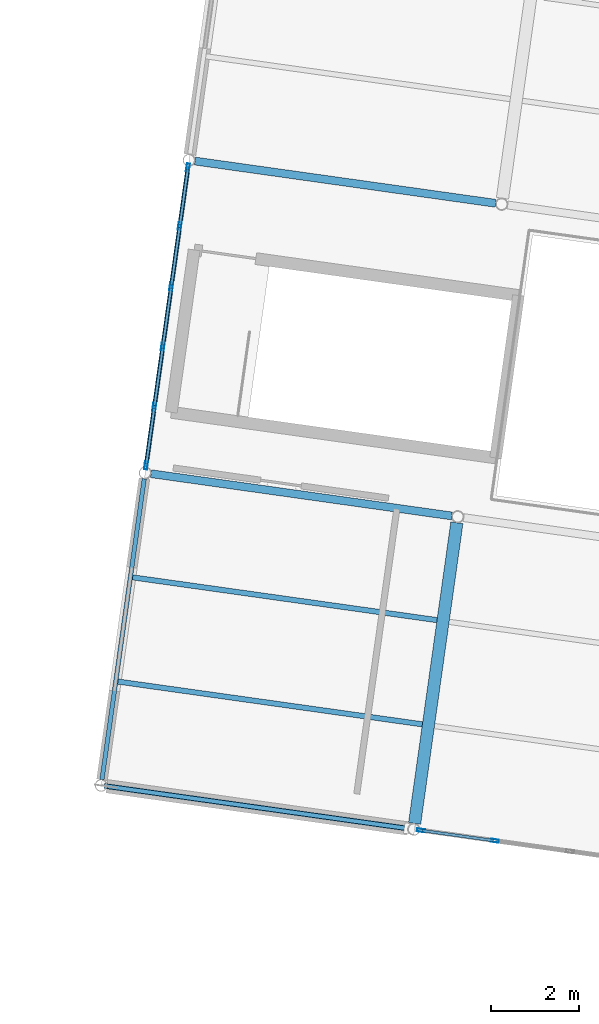
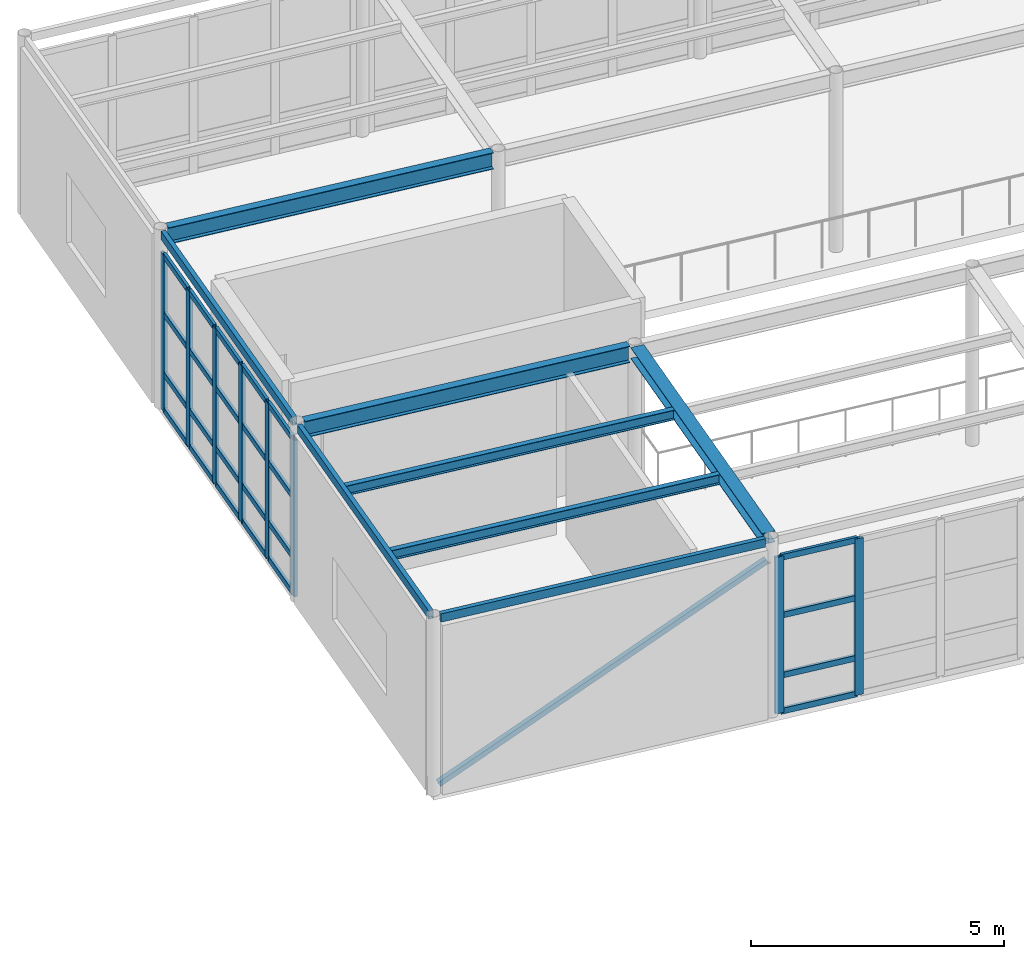
# One storey, part 21 of 67: 33 members, 8 beams, 2 elements without a shape of their own.
"""IFC4 building model written with IfcOpenShell, lengths in metres."""

from ifc_helpers import new_model, si_unit, direction, frame, origin, origin_2d, place, context, subcontext, project, spatial, hollow_rectangle, i_section, extrude, material, layer, layer_set, material_profile, profile_set, type_object, element, aggregate, save


model = new_model("IFC4")

# Units and contexts
model_context = context("Model", 3, precision=1e-05, world=origin(), true_north=direction((0.0, 1.0)))
body_context = subcontext(model_context, "Body", "Model", "MODEL_VIEW")
ifc_project = project(units=[si_unit("LENGTHUNIT", "METRE"), si_unit("AREAUNIT", "SQUARE_METRE"), si_unit("VOLUMEUNIT", "CUBIC_METRE"), si_unit("PLANEANGLEUNIT", "RADIAN"), si_unit("MASSUNIT", "GRAM", prefix="KILO")], contexts=[model_context])

# Site, building, storey
site_placement = place(None, origin())
site = spatial("IfcSite", under=ifc_project, at=site_placement, CompositionType="ELEMENT")
building_placement = place(site_placement, origin())
building = spatial("IfcBuilding", under=site, at=building_placement, Name="Kharisveld Research Institute", CompositionType="ELEMENT")
storey_placement = place(building_placement, frame((0.0, 0.0, 9.60009765625)))
storey = spatial("IfcBuildingStorey", under=building, at=storey_placement, Name="L02", CompositionType="ELEMENT", Elevation=9.60009765625)

# Beams
ifc_material_1 = material(Name="Steel S355JR", Category="steel")
ifc_material_profile_1 = material_profile(ifc_material_1, i_section(OverallWidth=0.280029296875, OverallDepth=0.27001953125, WebThickness=0.008056640625, FlangeThickness=0.012939453125, at=origin_2d()))
ifc_profile_set_1 = profile_set([ifc_material_profile_1], Name="Steel S355JR")
beam_type_1 = type_object("IfcBeamType", Name="BM_ST_HEA280", PredefinedType="BEAM", material=ifc_profile_set_1)
beam_1_placement = place(storey_placement, frame((82.14892578125, 16.633056640625, 4.169921875), z_axis=(0.139180848611, 0.990266979849, 0.0), x_axis=(-0.990266979849, 0.139180848611, 0.0)))
element("IfcBeam", 1, at=beam_1_placement, inside=storey, type_object=beam_type_1, Name="BM:V4:L02:V1_0", PredefinedType="BEAM", context=body_context, shape_type="SweptSolid", body=[
    extrude(i_section(OverallWidth=0.280029296875, OverallDepth=0.27001953125, WebThickness=0.008056640625, FlangeThickness=0.012939453125, at=origin_2d()), origin(), (0.0, 0.0, 1.0), 6.927001953125),
])
ifc_material_2 = material(Name="Steel S355JR", Category="steel")
ifc_material_profile_2 = material_profile(ifc_material_2, i_section(OverallWidth=0.179931640625, OverallDepth=0.39990234375, WebThickness=0.008544921875, FlangeThickness=0.013427734375, at=origin_2d()))
ifc_profile_set_2 = profile_set([ifc_material_profile_2], Name="Steel S355JR")
beam_type_2 = type_object("IfcBeamType", Name="BM_ST_IPE400", PredefinedType="BEAM", material=ifc_profile_set_2)
for number, where, z_axis, x_axis, name in (
    (2, (76.13720703125, 24.61083984375, 4.10498046875), (0.990271836897, -0.13914628651, 0.0), (0.13914628651, 0.990271836897, 0.0), "BM:V4:L02:U0_1"),
    (3, (77.13916015625, 31.740966796875, 4.10498046875), (0.990266979849, -0.139180848611, 0.0), (0.139180848611, 0.990266979849, 0.0), "BM:V4:L02:U0_2"),
):
    element("IfcBeam", number, at=place(storey_placement, frame(where, z_axis=z_axis, x_axis=x_axis)), inside=storey, type_object=beam_type_2, Name=name, PredefinedType="BEAM", context=body_context, shape_type="SweptSolid", body=[
        extrude(i_section(OverallWidth=0.179931640625, OverallDepth=0.39990234375, WebThickness=0.008544921875, FlangeThickness=0.013427734375, at=origin_2d()), origin(), (0.0, 0.0, 1.0), 6.927001953125),
    ])

# Member
ifc_material_3 = material(Name="Steel S355J2H", Category="steel")
ifc_material_profile_3 = material_profile(ifc_material_3, hollow_rectangle(XDim=0.1201171875, YDim=0.1201171875, WallThickness=0.00634765625, at=origin_2d()))
ifc_profile_set_3 = profile_set([ifc_material_profile_3], Name="Steel S355J2H")
member_type_1 = type_object("IfcMemberType", Name="BR_SHS120", PredefinedType="BRACE", material=ifc_profile_set_3)
member_1_placement = place(storey_placement, frame((75.09912109375, 17.486083984375, 0.199951171875), z_axis=(0.882935353603, -0.124076781632, 0.452802510612), x_axis=(0.139160243851, 0.990269875605, 0.0)))
element("IfcMember", 4, at=member_1_placement, inside=storey, type_object=member_type_1, Name="MEM:V4:L02:BR_0_0", PredefinedType="BRACE", context=body_context, shape_type="SweptSolid", body=[
    extrude(hollow_rectangle(XDim=0.1201171875, YDim=0.1201171875, WallThickness=0.00634765625, at=origin_2d()), origin(), (0.0, 0.0, 1.0), 7.85107421875),
])

# Curtain wall, members
ifc_material_4 = material(Name="Thermally Broken Aluminium Curtain Wall", Category="aluminium")
ifc_layer_1 = layer(ifc_material_4, 0.159912109375)
ifc_layer_set_1 = layer_set([ifc_layer_1], Name="CW_SYS_03")
curtain_wall_type_1 = type_object("IfcCurtainWallType", Name="CW_SYS_03", PredefinedType="NOTDEFINED", material=ifc_layer_set_1)
curtain_wall_1_placement = place(storey_placement, origin())
curtain_wall_1 = element("IfcCurtainWall", 5, at=curtain_wall_1_placement, inside=storey, type_object=curtain_wall_type_1, Name="CW:V4:L02:W1", PredefinedType="NOTDEFINED")
ifc_material_5 = material(Name="Anodised Aluminium AW-6063-T6", Category="aluminium")
ifc_material_profile_4 = material_profile(ifc_material_5, hollow_rectangle(XDim=0.070068359375, YDim=0.179931640625, WallThickness=0.00439453125, at=origin_2d()))
ifc_profile_set_4 = profile_set([ifc_material_profile_4], Name="Anodised Aluminium AW-6063-T6")
member_type_2 = type_object("IfcMemberType", Name="CW_MUL_180", PredefinedType="MULLION", material=ifc_profile_set_4)
member_2_placement = place(storey_placement, frame((76.025146484375, 24.794921875, 0.0), z_axis=(0.0, 0.0, 1.0), x_axis=(-0.990268046064, 0.139173262318, 0.0)))
member_2 = element("IfcMember", 6, at=member_2_placement, type_object=member_type_2, Name="CW-03 mullion 1", PredefinedType="MULLION", context=body_context, shape_type="SweptSolid", body=[
    extrude(hollow_rectangle(XDim=0.070068359375, YDim=0.179931640625, WallThickness=0.00439453125, at=origin_2d()), origin(), (0.0, 0.0, 1.0), 3.77978515625),
])
member_3_placement = place(storey_placement, frame((76.21337890625, 26.134033203125, 0.0), z_axis=(0.0, 0.0, 1.0), x_axis=(-0.990268046064, 0.139173262318, 0.0)))
member_3 = element("IfcMember", 7, at=member_3_placement, type_object=member_type_2, Name="CW-03 mullion 2", PredefinedType="MULLION", context=body_context, shape_type="SweptSolid", body=[
    extrude(hollow_rectangle(XDim=0.070068359375, YDim=0.179931640625, WallThickness=0.00439453125, at=origin_2d()), origin(), (0.0, 0.0, 1.0), 3.77978515625),
])
member_4_placement = place(storey_placement, frame((76.406494140625, 27.508056640625, 0.0), z_axis=(0.0, 0.0, 1.0), x_axis=(-0.990268046064, 0.139173262318, 0.0)))
member_4 = element("IfcMember", 8, at=member_4_placement, type_object=member_type_2, Name="CW-03 mullion 3", PredefinedType="MULLION", context=body_context, shape_type="SweptSolid", body=[
    extrude(hollow_rectangle(XDim=0.070068359375, YDim=0.179931640625, WallThickness=0.00439453125, at=origin_2d()), origin(), (0.0, 0.0, 1.0), 3.77978515625),
])
member_5_placement = place(storey_placement, frame((76.599609375, 28.8818359375, 0.0), z_axis=(0.0, 0.0, 1.0), x_axis=(-0.990268046064, 0.139173262318, 0.0)))
member_5 = element("IfcMember", 9, at=member_5_placement, type_object=member_type_2, Name="CW-03 mullion 4", PredefinedType="MULLION", context=body_context, shape_type="SweptSolid", body=[
    extrude(hollow_rectangle(XDim=0.070068359375, YDim=0.179931640625, WallThickness=0.00439453125, at=origin_2d()), origin(), (0.0, 0.0, 1.0), 3.77978515625),
])
member_6_placement = place(storey_placement, frame((76.792724609375, 30.255859375, 0.0), z_axis=(0.0, 0.0, 1.0), x_axis=(-0.990268046064, 0.139173262318, 0.0)))
member_6 = element("IfcMember", 10, at=member_6_placement, type_object=member_type_2, Name="CW-03 mullion 5", PredefinedType="MULLION", context=body_context, shape_type="SweptSolid", body=[
    extrude(hollow_rectangle(XDim=0.070068359375, YDim=0.179931640625, WallThickness=0.00439453125, at=origin_2d()), origin(), (0.0, 0.0, 1.0), 3.77978515625),
])
member_7_placement = place(storey_placement, frame((76.98095703125, 31.594970703125, 0.0), z_axis=(0.0, 0.0, 1.0), x_axis=(-0.990268046064, 0.139173262318, 0.0)))
member_7 = element("IfcMember", 11, at=member_7_placement, type_object=member_type_2, Name="CW-03 mullion 6", PredefinedType="MULLION", context=body_context, shape_type="SweptSolid", body=[
    extrude(hollow_rectangle(XDim=0.070068359375, YDim=0.179931640625, WallThickness=0.00439453125, at=origin_2d()), origin(), (0.0, 0.0, 1.0), 3.77978515625),
])

ifc_material_6 = material(Name="Thermally Broken Aluminium Curtain Wall", Category="aluminium")
ifc_layer_2 = layer(ifc_material_6, 0.159912109375)
ifc_layer_set_2 = layer_set([ifc_layer_2], Name="CW_SYS_04")
curtain_wall_type_2 = type_object("IfcCurtainWallType", Name="CW_SYS_04", PredefinedType="NOTDEFINED", material=ifc_layer_set_2)
curtain_wall_2_placement = place(storey_placement, origin())
curtain_wall_2 = element("IfcCurtainWall", 12, at=curtain_wall_2_placement, inside=storey, type_object=curtain_wall_type_2, Name="CW:V4:L02:S2", PredefinedType="NOTDEFINED")
member_8_placement = place(storey_placement, frame((83.9775390625, 16.23828125, 0.0), z_axis=(0.0, 0.0, 1.0), x_axis=(-0.139173262318, -0.990268046064, 0.0)))
member_8 = element("IfcMember", 13, at=member_8_placement, type_object=member_type_2, Name="CW-04 mullion 4", PredefinedType="MULLION", context=body_context, shape_type="SweptSolid", body=[
    extrude(hollow_rectangle(XDim=0.070068359375, YDim=0.179931640625, WallThickness=0.00439453125, at=origin_2d()), origin(), (0.0, 0.0, 1.0), 3.77978515625),
])
member_9_placement = place(storey_placement, frame((82.294921875, 16.474853515625, 0.0), z_axis=(0.0, 0.0, 1.0), x_axis=(-0.139173262318, -0.990268046064, 0.0)))
member_9 = element("IfcMember", 14, at=member_9_placement, type_object=member_type_2, Name="CW-04 mullion 5", PredefinedType="MULLION", context=body_context, shape_type="SweptSolid", body=[
    extrude(hollow_rectangle(XDim=0.070068359375, YDim=0.179931640625, WallThickness=0.00439453125, at=origin_2d()), origin(), (0.0, 0.0, 1.0), 3.77978515625),
])

# Member
ifc_material_7 = material(Name="Anodised Aluminium AW-6063-T6", Category="aluminium")
ifc_material_profile_5 = material_profile(ifc_material_7, hollow_rectangle(XDim=0.06494140625, YDim=0.139892578125, WallThickness=0.00390625, at=origin_2d()))
ifc_profile_set_5 = profile_set([ifc_material_profile_5], Name="Anodised Aluminium AW-6063-T6")
member_type_3 = type_object("IfcMemberType", Name="CW_TRN_140", PredefinedType="USERDEFINED", material=ifc_profile_set_5)
member_10_placement = place(storey_placement, frame((76.030029296875, 24.82958984375, 0.032470703125), z_axis=(0.139181898557, 0.99026683228, 0.0), x_axis=(-0.99026683228, 0.139181898557, 0.0)))
member_10 = element("IfcMember", 15, at=member_10_placement, type_object=member_type_3, Name="CW-03 transom 1.1", ObjectType="TRANSOM", PredefinedType="USERDEFINED", context=body_context, shape_type="SweptSolid", body=[
    extrude(hollow_rectangle(XDim=0.06494140625, YDim=0.139892578125, WallThickness=0.00390625, at=origin_2d()), origin(), (0.0, 0.0, 1.0), 1.2822265625),
])

member_11_placement = place(storey_placement, frame((76.030029296875, 24.82958984375, 0.89990234375), z_axis=(0.139181898557, 0.99026683228, 0.0), x_axis=(-0.99026683228, 0.139181898557, 0.0)))
member_11 = element("IfcMember", 16, at=member_11_placement, type_object=member_type_3, Name="CW-03 transom 1.2", ObjectType="TRANSOM", PredefinedType="USERDEFINED", context=body_context, shape_type="SweptSolid", body=[
    extrude(hollow_rectangle(XDim=0.06494140625, YDim=0.139892578125, WallThickness=0.00390625, at=origin_2d()), origin(), (0.0, 0.0, 1.0), 1.2822265625),
])

member_12_placement = place(storey_placement, frame((76.030029296875, 24.82958984375, 2.349853515625), z_axis=(0.139181898557, 0.99026683228, 0.0), x_axis=(-0.99026683228, 0.139181898557, 0.0)))
member_12 = element("IfcMember", 17, at=member_12_placement, type_object=member_type_3, Name="CW-03 transom 1.3", ObjectType="TRANSOM", PredefinedType="USERDEFINED", context=body_context, shape_type="SweptSolid", body=[
    extrude(hollow_rectangle(XDim=0.06494140625, YDim=0.139892578125, WallThickness=0.00390625, at=origin_2d()), origin(), (0.0, 0.0, 1.0), 1.2822265625),
])

member_13_placement = place(storey_placement, frame((76.030029296875, 24.82958984375, 3.747314453125), z_axis=(0.139181898557, 0.99026683228, 0.0), x_axis=(-0.99026683228, 0.139181898557, 0.0)))
member_13 = element("IfcMember", 18, at=member_13_placement, type_object=member_type_3, Name="CW-03 transom 1.4", ObjectType="TRANSOM", PredefinedType="USERDEFINED", context=body_context, shape_type="SweptSolid", body=[
    extrude(hollow_rectangle(XDim=0.06494140625, YDim=0.139892578125, WallThickness=0.00390625, at=origin_2d()), origin(), (0.0, 0.0, 1.0), 1.2822265625),
])

member_14_placement = place(storey_placement, frame((76.21826171875, 26.168701171875, 0.032470703125), z_axis=(0.139163975074, 0.990269351258, 0.0), x_axis=(-0.990269351258, 0.139163975074, 0.0)))
member_14 = element("IfcMember", 19, at=member_14_placement, type_object=member_type_3, Name="CW-03 transom 2.1", ObjectType="TRANSOM", PredefinedType="USERDEFINED", context=body_context, shape_type="SweptSolid", body=[
    extrude(hollow_rectangle(XDim=0.06494140625, YDim=0.139892578125, WallThickness=0.00390625, at=origin_2d()), origin(), (0.0, 0.0, 1.0), 1.317626953125),
])

member_15_placement = place(storey_placement, frame((76.21826171875, 26.168701171875, 0.89990234375), z_axis=(0.139163975074, 0.990269351258, 0.0), x_axis=(-0.990269351258, 0.139163975074, 0.0)))
member_15 = element("IfcMember", 20, at=member_15_placement, type_object=member_type_3, Name="CW-03 transom 2.2", ObjectType="TRANSOM", PredefinedType="USERDEFINED", context=body_context, shape_type="SweptSolid", body=[
    extrude(hollow_rectangle(XDim=0.06494140625, YDim=0.139892578125, WallThickness=0.00390625, at=origin_2d()), origin(), (0.0, 0.0, 1.0), 1.317626953125),
])

member_16_placement = place(storey_placement, frame((76.21826171875, 26.168701171875, 2.349853515625), z_axis=(0.139163975074, 0.990269351258, 0.0), x_axis=(-0.990269351258, 0.139163975074, 0.0)))
member_16 = element("IfcMember", 21, at=member_16_placement, type_object=member_type_3, Name="CW-03 transom 2.3", ObjectType="TRANSOM", PredefinedType="USERDEFINED", context=body_context, shape_type="SweptSolid", body=[
    extrude(hollow_rectangle(XDim=0.06494140625, YDim=0.139892578125, WallThickness=0.00390625, at=origin_2d()), origin(), (0.0, 0.0, 1.0), 1.317626953125),
])

member_17_placement = place(storey_placement, frame((76.21826171875, 26.168701171875, 3.747314453125), z_axis=(0.139163975074, 0.990269351258, 0.0), x_axis=(-0.990269351258, 0.139163975074, 0.0)))
member_17 = element("IfcMember", 22, at=member_17_placement, type_object=member_type_3, Name="CW-03 transom 2.4", ObjectType="TRANSOM", PredefinedType="USERDEFINED", context=body_context, shape_type="SweptSolid", body=[
    extrude(hollow_rectangle(XDim=0.06494140625, YDim=0.139892578125, WallThickness=0.00390625, at=origin_2d()), origin(), (0.0, 0.0, 1.0), 1.317626953125),
])

member_18_placement = place(storey_placement, frame((76.411376953125, 27.542724609375, 0.032470703125), z_axis=(0.139189516548, 0.990265761542, 0.0), x_axis=(-0.990265761542, 0.139189516548, 0.0)))
member_18 = element("IfcMember", 23, at=member_18_placement, type_object=member_type_3, Name="CW-03 transom 3.1", ObjectType="TRANSOM", PredefinedType="USERDEFINED", context=body_context, shape_type="SweptSolid", body=[
    extrude(hollow_rectangle(XDim=0.06494140625, YDim=0.139892578125, WallThickness=0.00390625, at=origin_2d()), origin(), (0.0, 0.0, 1.0), 1.3173828125),
])

member_19_placement = place(storey_placement, frame((76.411376953125, 27.542724609375, 0.89990234375), z_axis=(0.139189516548, 0.990265761542, 0.0), x_axis=(-0.990265761542, 0.139189516548, 0.0)))
member_19 = element("IfcMember", 24, at=member_19_placement, type_object=member_type_3, Name="CW-03 transom 3.2", ObjectType="TRANSOM", PredefinedType="USERDEFINED", context=body_context, shape_type="SweptSolid", body=[
    extrude(hollow_rectangle(XDim=0.06494140625, YDim=0.139892578125, WallThickness=0.00390625, at=origin_2d()), origin(), (0.0, 0.0, 1.0), 1.3173828125),
])

member_20_placement = place(storey_placement, frame((76.411376953125, 27.542724609375, 2.349853515625), z_axis=(0.139189516548, 0.990265761542, 0.0), x_axis=(-0.990265761542, 0.139189516548, 0.0)))
member_20 = element("IfcMember", 25, at=member_20_placement, type_object=member_type_3, Name="CW-03 transom 3.3", ObjectType="TRANSOM", PredefinedType="USERDEFINED", context=body_context, shape_type="SweptSolid", body=[
    extrude(hollow_rectangle(XDim=0.06494140625, YDim=0.139892578125, WallThickness=0.00390625, at=origin_2d()), origin(), (0.0, 0.0, 1.0), 1.3173828125),
])

member_21_placement = place(storey_placement, frame((76.411376953125, 27.542724609375, 3.747314453125), z_axis=(0.139189516548, 0.990265761542, 0.0), x_axis=(-0.990265761542, 0.139189516548, 0.0)))
member_21 = element("IfcMember", 26, at=member_21_placement, type_object=member_type_3, Name="CW-03 transom 3.4", ObjectType="TRANSOM", PredefinedType="USERDEFINED", context=body_context, shape_type="SweptSolid", body=[
    extrude(hollow_rectangle(XDim=0.06494140625, YDim=0.139892578125, WallThickness=0.00390625, at=origin_2d()), origin(), (0.0, 0.0, 1.0), 1.3173828125),
])

member_22_placement = place(storey_placement, frame((76.6044921875, 28.91650390625, 0.032470703125), z_axis=(0.139163975074, 0.990269351258, 0.0), x_axis=(-0.990269351258, 0.139163975074, 0.0)))
member_22 = element("IfcMember", 27, at=member_22_placement, type_object=member_type_3, Name="CW-03 transom 4.1", ObjectType="TRANSOM", PredefinedType="USERDEFINED", context=body_context, shape_type="SweptSolid", body=[
    extrude(hollow_rectangle(XDim=0.06494140625, YDim=0.139892578125, WallThickness=0.00390625, at=origin_2d()), origin(), (0.0, 0.0, 1.0), 1.317626953125),
])

member_23_placement = place(storey_placement, frame((76.6044921875, 28.91650390625, 0.89990234375), z_axis=(0.139163975074, 0.990269351258, 0.0), x_axis=(-0.990269351258, 0.139163975074, 0.0)))
member_23 = element("IfcMember", 28, at=member_23_placement, type_object=member_type_3, Name="CW-03 transom 4.2", ObjectType="TRANSOM", PredefinedType="USERDEFINED", context=body_context, shape_type="SweptSolid", body=[
    extrude(hollow_rectangle(XDim=0.06494140625, YDim=0.139892578125, WallThickness=0.00390625, at=origin_2d()), origin(), (0.0, 0.0, 1.0), 1.317626953125),
])

member_24_placement = place(storey_placement, frame((76.6044921875, 28.91650390625, 2.349853515625), z_axis=(0.139163975074, 0.990269351258, 0.0), x_axis=(-0.990269351258, 0.139163975074, 0.0)))
member_24 = element("IfcMember", 29, at=member_24_placement, type_object=member_type_3, Name="CW-03 transom 4.3", ObjectType="TRANSOM", PredefinedType="USERDEFINED", context=body_context, shape_type="SweptSolid", body=[
    extrude(hollow_rectangle(XDim=0.06494140625, YDim=0.139892578125, WallThickness=0.00390625, at=origin_2d()), origin(), (0.0, 0.0, 1.0), 1.317626953125),
])

member_25_placement = place(storey_placement, frame((76.6044921875, 28.91650390625, 3.747314453125), z_axis=(0.139163975074, 0.990269351258, 0.0), x_axis=(-0.990269351258, 0.139163975074, 0.0)))
member_25 = element("IfcMember", 30, at=member_25_placement, type_object=member_type_3, Name="CW-03 transom 4.4", ObjectType="TRANSOM", PredefinedType="USERDEFINED", context=body_context, shape_type="SweptSolid", body=[
    extrude(hollow_rectangle(XDim=0.06494140625, YDim=0.139892578125, WallThickness=0.00390625, at=origin_2d()), origin(), (0.0, 0.0, 1.0), 1.317626953125),
])

member_26_placement = place(storey_placement, frame((76.797607421875, 30.290283203125, 0.032470703125), z_axis=(0.139155661248, 0.990270519577, 0.0), x_axis=(-0.990270519577, 0.139155661248, 0.0)))
member_26 = element("IfcMember", 31, at=member_26_placement, type_object=member_type_3, Name="CW-03 transom 5.1", ObjectType="TRANSOM", PredefinedType="USERDEFINED", context=body_context, shape_type="SweptSolid", body=[
    extrude(hollow_rectangle(XDim=0.06494140625, YDim=0.139892578125, WallThickness=0.00390625, at=origin_2d()), origin(), (0.0, 0.0, 1.0), 1.282470703125),
])

member_27_placement = place(storey_placement, frame((76.797607421875, 30.290283203125, 0.89990234375), z_axis=(0.139155661248, 0.990270519577, 0.0), x_axis=(-0.990270519577, 0.139155661248, 0.0)))
member_27 = element("IfcMember", 32, at=member_27_placement, type_object=member_type_3, Name="CW-03 transom 5.2", ObjectType="TRANSOM", PredefinedType="USERDEFINED", context=body_context, shape_type="SweptSolid", body=[
    extrude(hollow_rectangle(XDim=0.06494140625, YDim=0.139892578125, WallThickness=0.00390625, at=origin_2d()), origin(), (0.0, 0.0, 1.0), 1.282470703125),
])

member_28_placement = place(storey_placement, frame((76.797607421875, 30.290283203125, 2.349853515625), z_axis=(0.139155661248, 0.990270519577, 0.0), x_axis=(-0.990270519577, 0.139155661248, 0.0)))
member_28 = element("IfcMember", 33, at=member_28_placement, type_object=member_type_3, Name="CW-03 transom 5.3", ObjectType="TRANSOM", PredefinedType="USERDEFINED", context=body_context, shape_type="SweptSolid", body=[
    extrude(hollow_rectangle(XDim=0.06494140625, YDim=0.139892578125, WallThickness=0.00390625, at=origin_2d()), origin(), (0.0, 0.0, 1.0), 1.282470703125),
])

member_29_placement = place(storey_placement, frame((76.797607421875, 30.290283203125, 3.747314453125), z_axis=(0.139155661248, 0.990270519577, 0.0), x_axis=(-0.990270519577, 0.139155661248, 0.0)))
member_29 = element("IfcMember", 34, at=member_29_placement, type_object=member_type_3, Name="CW-03 transom 5.4", ObjectType="TRANSOM", PredefinedType="USERDEFINED", context=body_context, shape_type="SweptSolid", body=[
    extrude(hollow_rectangle(XDim=0.06494140625, YDim=0.139892578125, WallThickness=0.00390625, at=origin_2d()), origin(), (0.0, 0.0, 1.0), 1.282470703125),
])

aggregate(curtain_wall_1, [member_2, member_3, member_4, member_5, member_6, member_7, member_10, member_11, member_12, member_13, member_14, member_15, member_16, member_17, member_18, member_19, member_20, member_21, member_22, member_23, member_24, member_25, member_26, member_27, member_28, member_29])

member_30_placement = place(storey_placement, frame((83.94287109375, 16.2431640625, 0.032470703125), z_axis=(-0.990261744437, 0.139218093308, 0.0), x_axis=(-0.139218093308, -0.990261744437, 0.0)))
member_30 = element("IfcMember", 35, at=member_30_placement, type_object=member_type_3, Name="CW-04 transom 4.1", ObjectType="TRANSOM", PredefinedType="USERDEFINED", context=body_context, shape_type="SweptSolid", body=[
    extrude(hollow_rectangle(XDim=0.06494140625, YDim=0.139892578125, WallThickness=0.00390625, at=origin_2d()), origin(), (0.0, 0.0, 1.0), 1.629150390625),
])

member_31_placement = place(storey_placement, frame((83.94287109375, 16.2431640625, 0.89990234375), z_axis=(-0.990261744437, 0.139218093308, 0.0), x_axis=(-0.139218093308, -0.990261744437, 0.0)))
member_31 = element("IfcMember", 36, at=member_31_placement, type_object=member_type_3, Name="CW-04 transom 4.2", ObjectType="TRANSOM", PredefinedType="USERDEFINED", context=body_context, shape_type="SweptSolid", body=[
    extrude(hollow_rectangle(XDim=0.06494140625, YDim=0.139892578125, WallThickness=0.00390625, at=origin_2d()), origin(), (0.0, 0.0, 1.0), 1.629150390625),
])

member_32_placement = place(storey_placement, frame((83.94287109375, 16.2431640625, 2.349853515625), z_axis=(-0.990261744437, 0.139218093308, 0.0), x_axis=(-0.139218093308, -0.990261744437, 0.0)))
member_32 = element("IfcMember", 37, at=member_32_placement, type_object=member_type_3, Name="CW-04 transom 4.3", ObjectType="TRANSOM", PredefinedType="USERDEFINED", context=body_context, shape_type="SweptSolid", body=[
    extrude(hollow_rectangle(XDim=0.06494140625, YDim=0.139892578125, WallThickness=0.00390625, at=origin_2d()), origin(), (0.0, 0.0, 1.0), 1.629150390625),
])

member_33_placement = place(storey_placement, frame((83.94287109375, 16.2431640625, 3.747314453125), z_axis=(-0.990261744437, 0.139218093308, 0.0), x_axis=(-0.139218093308, -0.990261744437, 0.0)))
member_33 = element("IfcMember", 38, at=member_33_placement, type_object=member_type_3, Name="CW-04 transom 4.4", ObjectType="TRANSOM", PredefinedType="USERDEFINED", context=body_context, shape_type="SweptSolid", body=[
    extrude(hollow_rectangle(XDim=0.06494140625, YDim=0.139892578125, WallThickness=0.00390625, at=origin_2d()), origin(), (0.0, 0.0, 1.0), 1.629150390625),
])

aggregate(curtain_wall_2, [member_8, member_9, member_30, member_31, member_32, member_33])

# Beams
ifc_material_8 = material(Name="Steel S355JR", Category="steel")
ifc_material_profile_6 = material_profile(ifc_material_8, i_section(OverallWidth=0.1201171875, OverallDepth=0.239990234375, WebThickness=0.006103515625, FlangeThickness=0.009765625, at=origin_2d()))
ifc_profile_set_6 = profile_set([ifc_material_profile_6], Name="Steel S355JR")
beam_type_3 = type_object("IfcBeamType", Name="JS_ST_IPE240", PredefinedType="JOIST", material=ifc_profile_set_6)
beam_2_placement = place(storey_placement, frame((75.383544921875, 19.86962890625, 4.184814453125), z_axis=(0.990268056996, -0.139173184531, 0.0), x_axis=(0.139173184531, 0.990268056996, 0.0)))
element("IfcBeam", 39, at=beam_2_placement, inside=storey, type_object=beam_type_3, Name="BM:V4:L02:J_0_0_R1", PredefinedType="JOIST", context=body_context, shape_type="SweptSolid", body=[
    extrude(i_section(OverallWidth=0.1201171875, OverallDepth=0.239990234375, WebThickness=0.006103515625, FlangeThickness=0.009765625, at=origin_2d()), origin(), (0.0, 0.0, 1.0), 7.009765625),
])
beam_3_placement = place(storey_placement, frame((75.717529296875, 22.246337890625, 4.184814453125), z_axis=(0.990268731554, -0.139168384726, 0.0), x_axis=(0.139168384726, 0.990268731554, 0.0)))
element("IfcBeam", 40, at=beam_3_placement, inside=storey, type_object=beam_type_3, Name="BM:V4:L02:J_0_0_R2", PredefinedType="JOIST", context=body_context, shape_type="SweptSolid", body=[
    extrude(i_section(OverallWidth=0.1201171875, OverallDepth=0.239990234375, WebThickness=0.006103515625, FlangeThickness=0.009765625, at=origin_2d()), origin(), (0.0, 0.0, 1.0), 7.010009765625),
])
ifc_material_9 = material(Name="Steel S355J2H", Category="steel")
ifc_material_profile_7 = material_profile(ifc_material_9, hollow_rectangle(XDim=0.10009765625, YDim=0.199951171875, WallThickness=0.008056640625, at=origin_2d()))
ifc_profile_set_7 = profile_set([ifc_material_profile_7], Name="Steel S355J2H")
beam_type_4 = type_object("IfcBeamType", Name="SP_ST_RHS200", PredefinedType="SPANDREL", material=ifc_profile_set_7)
for number, where, z_axis, x_axis, name in (
    (41, (75.13525390625, 17.48095703125, 4.204833984375), (0.990266979849, -0.139180848611, 0.0), (0.139180848611, 0.990266979849, 0.0), "BM:V4:L02:U0_0"),
    (42, (75.01904296875, 17.63525390625, 4.204833984375), (0.139180848611, 0.990266979849, 0.0), (-0.990266979849, 0.139180848611, 0.0), "BM:V4:L02:V0_0"),
    (43, (76.02099609375, 24.76513671875, 4.204833984375), (0.139180848611, 0.990266979849, 0.0), (-0.990266979849, 0.139180848611, 0.0), "BM:V4:L02:V0_1"),
):
    element("IfcBeam", number, at=place(storey_placement, frame(where, z_axis=z_axis, x_axis=x_axis)), inside=storey, type_object=beam_type_4, Name=name, PredefinedType="SPANDREL", context=body_context, shape_type="SweptSolid", body=[
        extrude(hollow_rectangle(XDim=0.10009765625, YDim=0.199951171875, WallThickness=0.008056640625, at=origin_2d()), origin(), (0.0, 0.0, 1.0), 6.927001953125),
    ])

save(model, "model.ifc")
